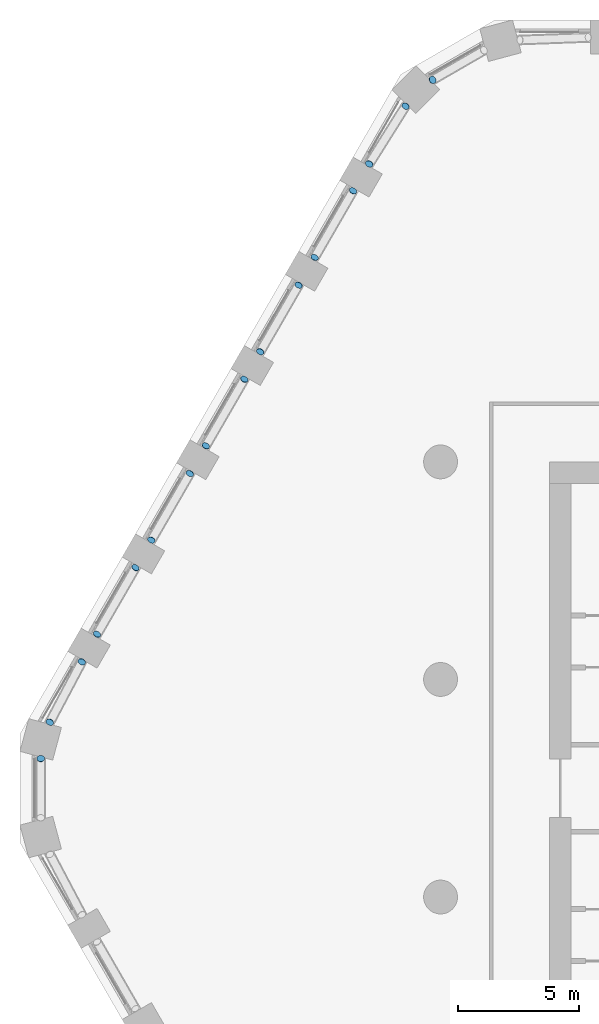
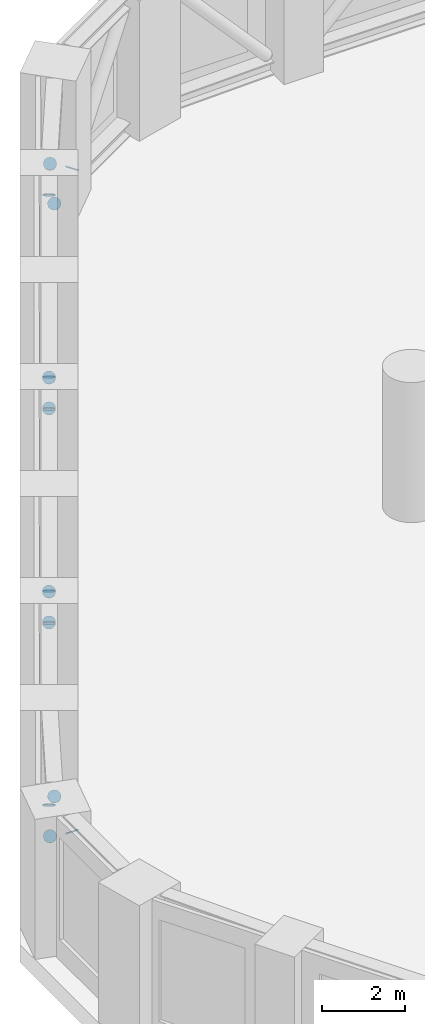
# One storey, part 13 of 18: 16 discrete accessories.
"""IFC4 building model written with IfcOpenShell, lengths in metres."""

from ifc_helpers import new_model, si_unit, direction, frame, origin, origin_2d, place, context, subcontext, project, spatial, circle, extrude, material, material_profile, profile_set, type_object, element, save


model = new_model("IFC4")

# Units and contexts
model_context = context("Model", 3, precision=1e-05, world=origin(), true_north=direction((0.0, 1.0)))
body_context = subcontext(model_context, "Body", "Model", "MODEL_VIEW")
ifc_project = project(units=[si_unit("LENGTHUNIT", "METRE"), si_unit("AREAUNIT", "SQUARE_METRE"), si_unit("VOLUMEUNIT", "CUBIC_METRE"), si_unit("PLANEANGLEUNIT", "RADIAN"), si_unit("MASSUNIT", "GRAM", prefix="KILO")], contexts=[model_context])

# Site, building, storey
site_placement = place(None, origin())
site = spatial("IfcSite", under=ifc_project, at=site_placement, CompositionType="ELEMENT")
building_placement = place(site_placement, origin())
building = spatial("IfcBuilding", under=site, at=building_placement, Name="Dhurran Vertical Campus", CompositionType="ELEMENT")
storey_placement = place(building_placement, frame((0.0, 0.0, 76.800048828125)))
storey = spatial("IfcBuildingStorey", under=building, at=storey_placement, Name="L18 Plant", CompositionType="ELEMENT", Elevation=76.800048828125)

# Discrete accessories
ifc_material = material(Name="Steel S355J2", Category="steel")
ifc_material_profile = material_profile(ifc_material, circle(Radius=0.161865234375, at=origin_2d()), Name="Tube end cap 324 x 20")
ifc_profile_set = profile_set([ifc_material_profile], Name="Steel S355J2")
discrete_accessory_type = type_object("IfcDiscreteAccessoryType", Name="Tube end cap 324 x 20", PredefinedType="USERDEFINED", material=ifc_profile_set)
for number, where, z_axis, x_axis, name in (
    (1, (-22.82568359375, 29.302978515625, 0.486083984375), (-0.523379332727, -0.316461922114, -0.791154805285), (0.517419338909, -0.855731983581, 0.0), "EC1 belt L18 d35 capA"),
    (2, (-23.95263671875, 28.2119140625, 0.4951171875), (0.35487449747, 0.562904375298, -0.746460149851), (-0.845925602596, 0.533300923376, 0.0), "EC1 belt L18 d36 capA"),
    (3, (-25.44677734375, 25.8310546875, 3.6298828125), (-0.352428962185, -0.571177973196, 0.741316092871), (0.8510360128, -0.525107327047, 0.0), "EC1 belt L18 d36 capB"),
    (4, (-27.70751953125, 21.96337890625, 0.502197265625), (-0.354529585537, -0.623483064221, -0.696834012953), (0.869290118928, -0.494302224488, 0.0), "EC1 belt L18 d37 capA"),
    (5, (-26.12451171875, 24.705078125, 3.62255859375), (0.364770287314, 0.607950478857, 0.705222555474), (-0.857492925713, 0.514495755428, 0.0), "EC1 belt L18 d37 capB"),
    (6, (-28.37451171875, 20.807861328125, 0.502197265625), (0.36514837167, 0.620752231839, -0.693781906173), (-0.861934215158, 0.507020126563, 0.0), "EC1 belt L18 d38 capA"),
    (7, (-29.95751953125, 18.066162109375, 3.62255859375), (-0.351521607435, -0.618193171696, 0.70304321487), (0.869290118928, -0.494302224488, 0.0), "EC1 belt L18 d38 capB"),
    (8, (-32.20751953125, 14.1689453125, 0.502197265625), (-0.354529585537, -0.623483064221, -0.696834012953), (0.869290118928, -0.494302224488, 0.0), "EC1 belt L18 d39 capA"),
    (9, (-30.62451171875, 16.910888671875, 3.62255859375), (0.364770287314, 0.607950478857, 0.705222555474), (-0.857492925713, 0.514495755428, 0.0), "EC1 belt L18 d39 capB"),
    (10, (-32.87451171875, 13.013671875, 0.502197265625), (0.367911267232, 0.613185445387, -0.699031407741), (-0.857492925713, 0.514495755428, 0.0), "EC1 belt L18 d40 capA"),
    (11, (-34.45751953125, 10.27197265625, 3.62255859375), (-0.351521607435, -0.618193171696, 0.70304321487), (0.869290118928, -0.494302224488, 0.0), "EC1 belt L18 d40 capB"),
    (12, (-36.70751953125, 6.374755859375, 0.502197265625), (-0.354529585537, -0.623483064221, -0.696834012953), (0.869290118928, -0.494302224488, 0.0), "EC1 belt L18 d41 capA"),
):
    element("IfcDiscreteAccessory", number, at=place(storey_placement, frame(where, z_axis=z_axis, x_axis=x_axis)), inside=storey, type_object=discrete_accessory_type, Name=name, ObjectType="END CAP", PredefinedType="USERDEFINED", context=body_context, shape_type="SweptSolid", body=[
        extrude(circle(Radius=0.161865234375, at=origin_2d()), origin(), (0.0, 0.0, 1.0), 0.02001953125),
    ])
discrete_accessory_placement = place(storey_placement, frame((-35.12451171875, 9.116455078125, 3.62255859375), z_axis=(0.362077038074, 0.615530964726, 0.700015606943), x_axis=(-0.861934215158, 0.507020126563, 0.0)))
element("IfcDiscreteAccessory", 13, at=discrete_accessory_placement, inside=storey, type_object=discrete_accessory_type, Name="EC1 belt L18 d41 capB", ObjectType="END CAP", PredefinedType="USERDEFINED", context=body_context, shape_type="SweptSolid", body=[
    extrude(circle(Radius=0.161865234375, at=origin_2d()), origin(), (0.0, 0.0, 1.0), 0.020263671875),
])
for number, where, z_axis, x_axis, name in (
    (14, (-37.34375, 5.22509765625, 0.4951171875), (0.317616853461, 0.586369575619, -0.74517800235), (-0.879291966537, 0.476283148541, 0.0), "EC1 belt L18 d42 capA"),
    (15, (-38.658447265625, 2.74072265625, 3.6298828125), (-0.317616853461, -0.586369575619, 0.74517800235), (0.879291966537, -0.476283148541, 0.0), "EC1 belt L18 d42 capB"),
    (16, (-39.039794921875, 1.218994140625, 3.638916015625), (0.0, 0.60971076085, 0.792623989105), (-1.0, 0.0, 0.0), "EC1 belt L18 d43 capB"),
):
    element("IfcDiscreteAccessory", number, at=place(storey_placement, frame(where, z_axis=z_axis, x_axis=x_axis)), inside=storey, type_object=discrete_accessory_type, Name=name, ObjectType="END CAP", PredefinedType="USERDEFINED", context=body_context, shape_type="SweptSolid", body=[
        extrude(circle(Radius=0.161865234375, at=origin_2d()), origin(), (0.0, 0.0, 1.0), 0.02001953125),
    ])

save(model, "model.ifc")
